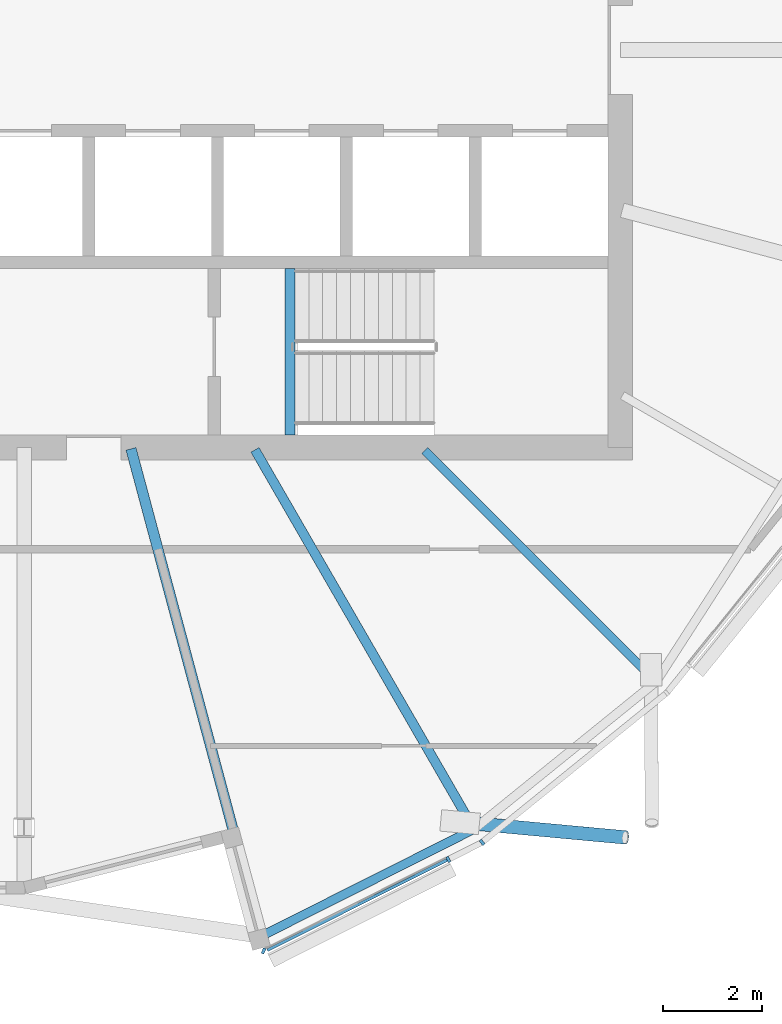
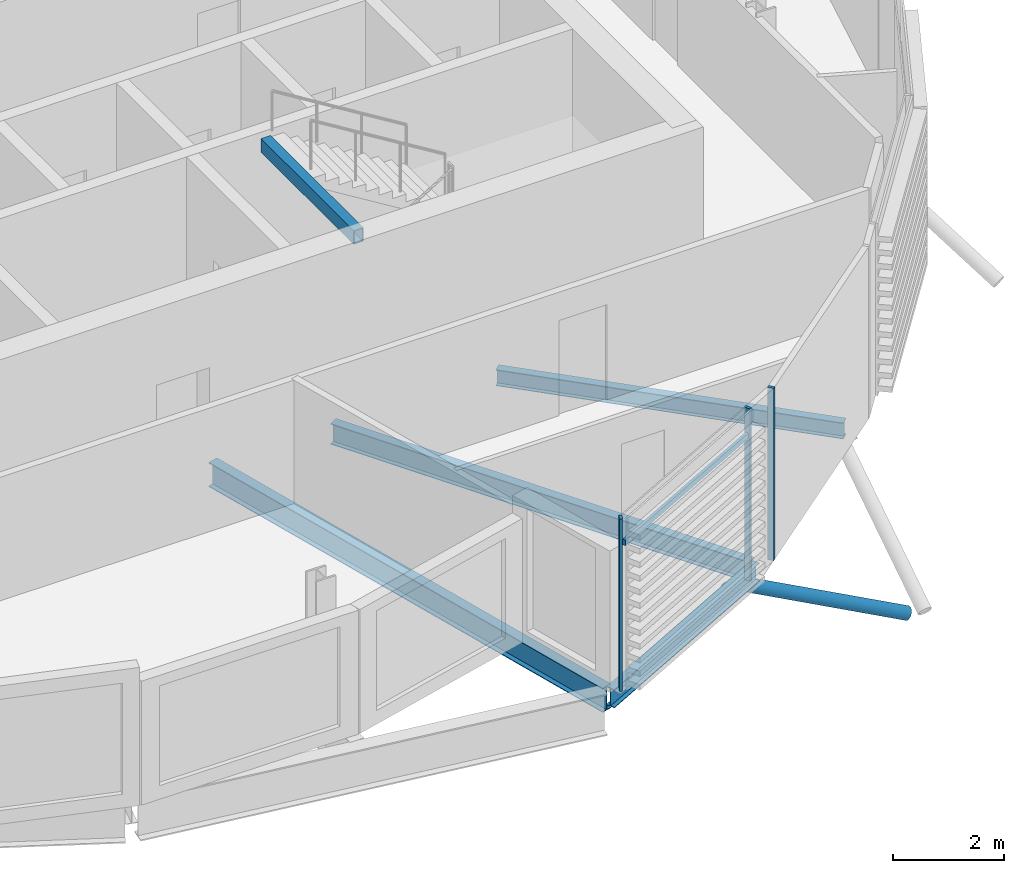
# One storey, part 10 of 33: 5 beams, 5 members, 1 element without a shape of its own.
"""IFC4 building model written with IfcOpenShell, lengths in metres."""

from ifc_helpers import new_model, si_unit, direction, frame, origin, origin_2d, place, context, subcontext, project, spatial, rectangle, hollow_rectangle, hollow_circle, i_section, extrude, clip, halfspace, material, material_profile, profile_set, type_object, element, aggregate, save


model = new_model("IFC4")

# Units and contexts
model_context = context("Model", 3, precision=1e-05, world=origin(), true_north=direction((0.0, 1.0)))
body_context = subcontext(model_context, "Body", "Model", "MODEL_VIEW")
ifc_project = project(units=[si_unit("LENGTHUNIT", "METRE"), si_unit("AREAUNIT", "SQUARE_METRE"), si_unit("VOLUMEUNIT", "CUBIC_METRE"), si_unit("PLANEANGLEUNIT", "RADIAN"), si_unit("MASSUNIT", "GRAM", prefix="KILO")], contexts=[model_context])

# Site, building, storey
site_placement = place(None, origin())
site = spatial("IfcSite", under=ifc_project, at=site_placement, CompositionType="ELEMENT")
building_placement = place(site_placement, origin())
building = spatial("IfcBuilding", under=site, at=building_placement, Name="Rimbun Link Towers", CompositionType="ELEMENT")
storey_placement = place(building_placement, frame((0.0, 0.0, 240.89990234375)))
storey = spatial("IfcBuildingStorey", under=building, at=storey_placement, Name="L59", CompositionType="ELEMENT", Elevation=240.89990234375)

# Curtain wall, members
ifc_material_1 = material(Name="Aluminium 6063-T6 and low-iron glass", Category="aluminium")
curtain_wall_type = type_object("IfcCurtainWallType", Name="CW1-Z4 unitised vision wall (zone 4)", PredefinedType="NOTDEFINED", material=ifc_material_1)
curtain_wall_placement = place(storey_placement, origin())
curtain_wall = element("IfcCurtainWall", 1, at=curtain_wall_placement, inside=storey, type_object=curtain_wall_type, Name="CW1 L59 T2", PredefinedType="NOTDEFINED")
ifc_material_2 = material(Name="Aluminium 6063-T6", Category="aluminium")
ifc_material_profile_1 = material_profile(ifc_material_2, rectangle(XDim=0.1201171875, YDim=0.06005859375, at=origin_2d()), Name="MULLION 60X120")
ifc_profile_set_1 = profile_set([ifc_material_profile_1], Name="Aluminium 6063-T6")
member_type_1 = type_object("IfcMemberType", Name="CW1 mullion 60X120", PredefinedType="MULLION", material=ifc_profile_set_1)
member_1_placement = place(storey_placement, frame((40.28759765625, -16.2919921875, 0.0), z_axis=(0.0, 0.0, 1.0), x_axis=(0.448779041213, -0.893642754219, 0.0)))
member_1 = element("IfcMember", 2, at=member_1_placement, type_object=member_type_1, Name="CW1 mullion", PredefinedType="MULLION", context=body_context, shape_type="SweptSolid", body=[
    extrude(rectangle(XDim=0.1201171875, YDim=0.06005859375, at=origin_2d()), origin(), (0.0, 0.0, 1.0), 3.800048828125),
])
member_2_placement = place(storey_placement, frame((36.56982421875, -18.134521484375, 0.0), z_axis=(0.0, 0.0, 1.0), x_axis=(-0.409410299014, -0.912350375164, 0.0)))
member_2 = element("IfcMember", 3, at=member_2_placement, type_object=member_type_1, Name="CW1 mullion", PredefinedType="MULLION", context=body_context, shape_type="SweptSolid", body=[
    extrude(rectangle(XDim=0.1201171875, YDim=0.06005859375, at=origin_2d()), origin(), (0.0, 0.0, 1.0), 3.800048828125),
])
member_3_placement = place(storey_placement, frame((40.96875, -15.948486328125, 0.0), z_axis=(0.0, 0.0, 1.0), x_axis=(0.629148262313, -0.777285317003, 0.0)))
member_3 = element("IfcMember", 4, at=member_3_placement, type_object=member_type_1, Name="CW1 mullion", PredefinedType="MULLION", context=body_context, shape_type="SweptSolid", body=[
    extrude(rectangle(XDim=0.1201171875, YDim=0.06005859375, at=origin_2d()), origin(), (0.0, 0.0, 1.0), 3.800048828125),
])
ifc_material_3 = material(Name="Aluminium 6063-T6", Category="aluminium")
ifc_material_profile_2 = material_profile(ifc_material_3, rectangle(XDim=0.06005859375, YDim=0.1201171875, at=origin_2d()), Name="TRANSOM 60X120")
ifc_profile_set_2 = profile_set([ifc_material_profile_2], Name="Aluminium 6063-T6")
member_type_2 = type_object("IfcMemberType", Name="CW1 transom 60X120", PredefinedType="USERDEFINED", material=ifc_profile_set_2)
member_4_placement = place(storey_placement, frame((40.260009765625, -16.3037109375, 3.2001953125), z_axis=(-0.893628642312, -0.448807140807, 0.0), x_axis=(0.448807140807, -0.893628642312, 0.0)))
member_4 = element("IfcMember", 5, at=member_4_placement, type_object=member_type_2, Name="CW1 transom", ObjectType="TRANSOM", PredefinedType="USERDEFINED", context=body_context, shape_type="SweptSolid", body=[
    extrude(rectangle(XDim=0.06005859375, YDim=0.1201171875, at=origin_2d()), origin(), (0.0, 0.0, 1.0), 4.042724609375),
])
aggregate(curtain_wall, [member_1, member_2, member_3, member_4])

# Member
ifc_material_4 = material(Name="Steel S355J2H", Category="steel")
ifc_material_profile_3 = material_profile(ifc_material_4, hollow_circle(Radius=0.136474609375, WallThickness=0.012451171875, at=origin_2d()), Name="CHS 273x12.5")
ifc_profile_set_3 = profile_set([ifc_material_profile_3], Name="Steel S355J2H")
member_type_3 = type_object("IfcMemberType", Name="Floor edge link CHS 273x12.5", PredefinedType="BRACE", material=ifc_profile_set_3)
member_5_placement = place(storey_placement, frame((40.734375, -15.561279296875, -0.71630859375), z_axis=(0.894104657105, -0.08260256223, -0.440174600421), x_axis=(0.09199403028, 0.995759558524, 0.0)))
element("IfcMember", 6, at=member_5_placement, inside=storey, type_object=member_type_3, Name="Floor edge link T2 L59 17", PredefinedType="BRACE", context=body_context, shape_type="Clipping", body=[
    clip(extrude(hollow_circle(Radius=0.136474609375, WallThickness=0.012451171875, at=origin_2d()), frame((0.0, 0.0, -0.57958984375)), (0.0, 0.0, 1.0), 4.076171875), halfspace(frame((0.0, 0.0, -0.27490234375), z_axis=(0.0, 0.897912201245, -0.440174600421)), False)),
])

# Beams
ifc_material_5 = material(Name="Steel S355J2", Category="steel")
ifc_material_profile_4 = material_profile(ifc_material_5, hollow_rectangle(XDim=0.199951171875, YDim=0.300048828125, WallThickness=0.011962890625, at=origin_2d()), Name="BOX 300x200x12")
ifc_profile_set_4 = profile_set([ifc_material_profile_4], Name="Steel S355J2")
beam_type_1 = type_object("IfcBeamType", Name="Stair trimmer beam BOX 300x200x12", PredefinedType="BEAM", material=ifc_profile_set_4)
beam_1_placement = place(storey_placement, frame((37.10009765625, -7.75, 3.510009765625), z_axis=(0.0, 1.0, 0.0), x_axis=(-1.0, 0.0, 0.0)))
element("IfcBeam", 7, at=beam_1_placement, inside=storey, type_object=beam_type_1, Name="L59 ST4 stair beam 1", PredefinedType="BEAM", context=body_context, shape_type="SweptSolid", body=[
    extrude(hollow_rectangle(XDim=0.199951171875, YDim=0.300048828125, WallThickness=0.011962890625, at=origin_2d()), origin(), (0.0, 0.0, 1.0), 3.35009765625),
])
ifc_material_6 = material(Name="Steel S355J2", Category="steel")
ifc_material_profile_5 = material_profile(ifc_material_6, i_section(OverallWidth=0.17138671875, OverallDepth=0.35498046875, WebThickness=0.00732421875, FlangeThickness=0.011474609375, at=origin_2d()), Name="UB 356x171x51")
ifc_profile_set_5 = profile_set([ifc_material_profile_5], Name="Steel S355J2")
beam_type_2 = type_object("IfcBeamType", Name="UB 356x171x51", PredefinedType="BEAM", material=ifc_profile_set_5)
beam_2_placement = place(storey_placement, frame((39.811279296875, -8.061279296875, -0.3173828125), z_axis=(0.707106781187, -0.707106781187, 0.0), x_axis=(0.707106781187, 0.707106781187, 0.0)))
element("IfcBeam", 8, at=beam_2_placement, inside=storey, type_object=beam_type_2, Name="Radial beam T2 L59 18", PredefinedType="BEAM", context=body_context, shape_type="SweptSolid", body=[
    extrude(i_section(OverallWidth=0.17138671875, OverallDepth=0.35498046875, WebThickness=0.00732421875, FlangeThickness=0.011474609375, at=origin_2d()), origin(), (0.0, 0.0, 1.0), 6.494873046875),
])
ifc_material_7 = material(Name="Steel S355J2", Category="steel")
ifc_material_profile_6 = material_profile(ifc_material_7, i_section(OverallWidth=0.177978515625, OverallDepth=0.406494140625, WebThickness=0.0078125, FlangeThickness=0.0126953125, at=origin_2d()), Name="UB 406x178x60")
ifc_profile_set_6 = profile_set([ifc_material_profile_6], Name="Steel S355J2")
beam_type_3 = type_object("IfcBeamType", Name="UB 406x178x60", PredefinedType="BEAM", material=ifc_profile_set_6)
beam_3_placement = place(storey_placement, frame((36.529296875, -17.832763671875, -0.343017578125), z_axis=(0.893381661321, 0.44929857246, 0.0), x_axis=(-0.44929857246, 0.893381661321, 0.0)))
element("IfcBeam", 9, at=beam_3_placement, inside=storey, type_object=beam_type_3, Name="Edge beam T2 L59 16", PredefinedType="BEAM", context=body_context, shape_type="SweptSolid", body=[
    extrude(i_section(OverallWidth=0.177978515625, OverallDepth=0.406494140625, WebThickness=0.0078125, FlangeThickness=0.0126953125, at=origin_2d()), origin(), (0.0, 0.0, 1.0), 4.774658203125),
])
ifc_material_8 = material(Name="Steel S355J2", Category="steel")
ifc_material_profile_7 = material_profile(ifc_material_8, i_section(OverallWidth=0.18994140625, OverallDepth=0.453369140625, WebThickness=0.008544921875, FlangeThickness=0.0126953125, at=origin_2d()), Name="UB 457x191x67")
ifc_profile_set_7 = profile_set([ifc_material_profile_7], Name="Steel S355J2")
beam_type_4 = type_object("IfcBeamType", Name="UB 457x191x67", PredefinedType="BEAM", material=ifc_profile_set_7)
beam_4_placement = place(storey_placement, frame((36.396728515625, -8.04833984375, -0.36669921875), z_axis=(0.500009061797, -0.86602017189, 0.0), x_axis=(0.86602017189, 0.500009061797, 0.0)))
element("IfcBeam", 10, at=beam_4_placement, inside=storey, type_object=beam_type_4, Name="Radial beam T2 L59 17", PredefinedType="BEAM", context=body_context, shape_type="SweptSolid", body=[
    extrude(i_section(OverallWidth=0.18994140625, OverallDepth=0.453369140625, WebThickness=0.008544921875, FlangeThickness=0.0126953125, at=origin_2d()), origin(), (0.0, 0.0, 1.0), 8.725341796875),
])
ifc_material_9 = material(Name="Steel S355J2", Category="steel")
ifc_material_profile_8 = material_profile(ifc_material_9, i_section(OverallWidth=0.209228515625, OverallDepth=0.533203125, WebThickness=0.010009765625, FlangeThickness=0.015625, at=origin_2d()), Name="UB 533x210x92")
ifc_profile_set_8 = profile_set([ifc_material_profile_8], Name="Steel S355J2")
beam_type_5 = type_object("IfcBeamType", Name="UB 533x210x92", PredefinedType="BEAM", material=ifc_profile_set_8)
beam_5_placement = place(storey_placement, frame((33.901123046875, -8.028076171875, -0.406494140625), z_axis=(0.258822623886, -0.96592486735, 0.0), x_axis=(0.96592486735, 0.258822623886, 0.0)))
element("IfcBeam", 11, at=beam_5_placement, inside=storey, type_object=beam_type_5, Name="Radial beam T2 L59 16", PredefinedType="BEAM", context=body_context, shape_type="SweptSolid", body=[
    extrude(i_section(OverallWidth=0.209228515625, OverallDepth=0.533203125, WebThickness=0.010009765625, FlangeThickness=0.015625, at=origin_2d()), origin(), (0.0, 0.0, 1.0), 10.05908203125),
])

save(model, "model.ifc")
